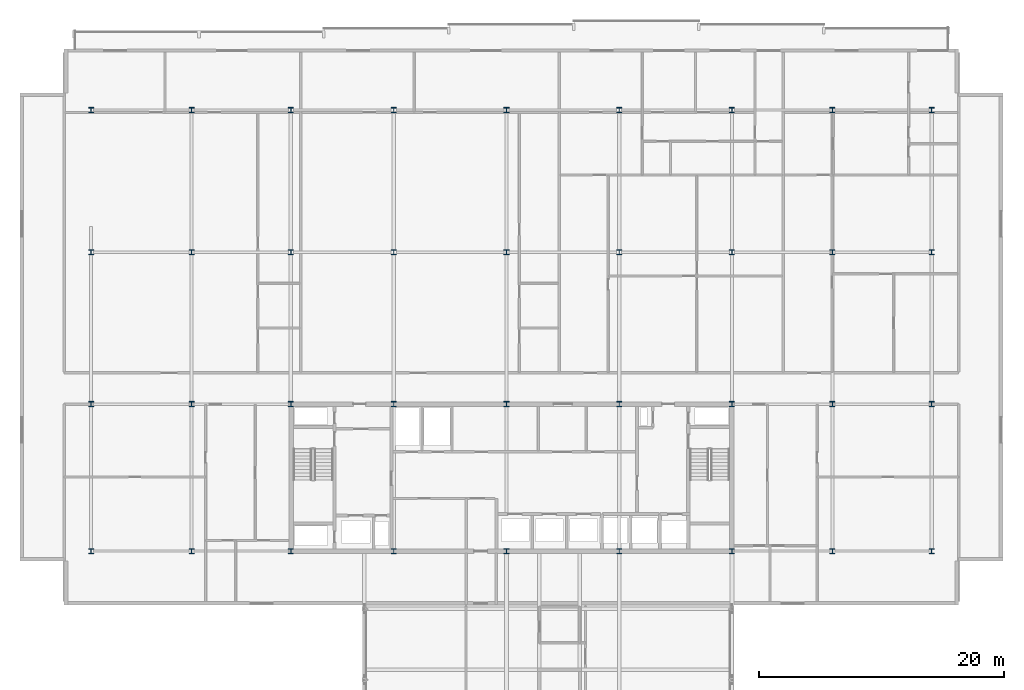
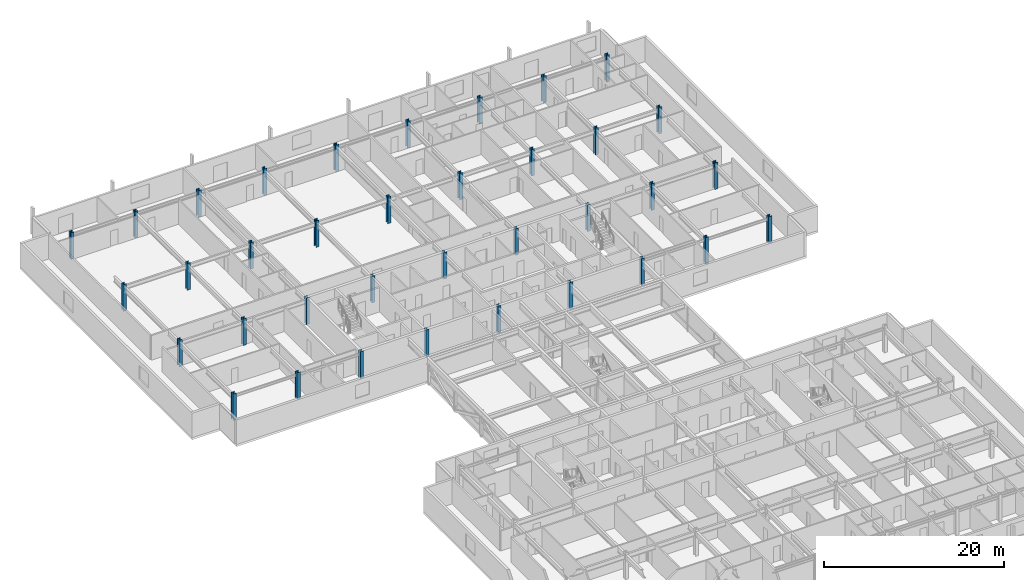
# One storey, part 2 of 36: 36 columns.
"""IFC4 building model written with IfcOpenShell, lengths in metres."""

from ifc_helpers import new_model, si_unit, direction, frame, origin, origin_2d, place, context, subcontext, project, spatial, i_section, extrude, material, material_profile, profile_set, type_object, element, save


model = new_model("IFC4")

# Units and contexts
model_context = context("Model", 3, precision=1e-05, world=origin(), true_north=direction((0.0, 1.0)))
body_context = subcontext(model_context, "Body", "Model", "MODEL_VIEW")
ifc_project = project(units=[si_unit("LENGTHUNIT", "METRE"), si_unit("AREAUNIT", "SQUARE_METRE"), si_unit("VOLUMEUNIT", "CUBIC_METRE"), si_unit("PLANEANGLEUNIT", "RADIAN"), si_unit("MASSUNIT", "GRAM", prefix="KILO")], contexts=[model_context])

# Site, building, storey
site_placement = place(None, origin())
site = spatial("IfcSite", under=ifc_project, at=site_placement, CompositionType="ELEMENT")
building_placement = place(site_placement, origin())
building = spatial("IfcBuilding", under=site, at=building_placement, Name="Korimba Cascade Residences", CompositionType="ELEMENT")
storey_placement = place(building_placement, frame((0.0, 0.0, 146.5)))
storey = spatial("IfcBuildingStorey", under=building, at=storey_placement, Name="L42", CompositionType="ELEMENT", Elevation=146.5)

# Columns
ifc_material = material(Name="Steel S460", Category="steel")
ifc_material_profile = material_profile(ifc_material, i_section(OverallWidth=0.412109375, OverallDepth=0.4365234375, WebThickness=0.035888671875, FlangeThickness=0.052001953125, FilletRadius=0.01513671875, at=origin_2d()), Name="Steel S460")
ifc_profile_set = profile_set([ifc_material_profile], Name="Steel S460")
column_type = type_object("IfcColumnType", Name="COL-STL-UC467", PredefinedType="COLUMN", material=ifc_profile_set)
for number, where, z_axis, x_axis, name in (
    (1, (59.800048828125, 55.199951171875, 0.0), (0.0, 0.0, 1.0), (1.0, 0.0, 0.0), "L42 Tower 1 Column 1.1"),
    (2, (59.800048828125, 67.199951171875, 0.0), (0.0, 0.0, 1.0), (1.0, 0.0, 0.0), "L42 Tower 1 Column 1.2"),
    (3, (59.800048828125, 79.60009765625, 0.0), (0.0, 0.0, 1.0), (1.0, 0.0, 0.0), "L42 Tower 1 Column 1.3"),
    (4, (59.800048828125, 91.199951171875, 0.0), (0.0, 0.0, 1.0), (1.0, 0.0, 0.0), "L42 Tower 1 Column 1.4"),
    (5, (68.0, 55.199951171875, 0.0), (0.0, 0.0, 1.0), (1.0, 0.0, 0.0), "L42 Tower 1 Column 2.1"),
    (6, (68.0, 67.199951171875, 0.0), (0.0, 0.0, 1.0), (1.0, 0.0, 0.0), "L42 Tower 1 Column 2.2"),
    (7, (68.0, 79.60009765625, 0.0), (0.0, 0.0, 1.0), (1.0, 0.0, 0.0), "L42 Tower 1 Column 2.3"),
    (8, (68.0, 91.199951171875, 0.0), (0.0, 0.0, 1.0), (1.0, 0.0, 0.0), "L42 Tower 1 Column 2.4"),
    (9, (76.10009765625, 55.199951171875, 0.0), (0.0, 0.0, 1.0), (1.0, 0.0, 0.0), "L42 Tower 1 Column 3.1"),
    (10, (76.10009765625, 67.199951171875, 0.0), (0.0, 0.0, 1.0), (1.0, 0.0, 0.0), "L42 Tower 1 Column 3.2"),
    (11, (76.10009765625, 79.60009765625, 0.0), (0.0, 0.0, 1.0), (1.0, 0.0, 0.0), "L42 Tower 1 Column 3.3"),
    (12, (76.10009765625, 91.199951171875, 0.0), (0.0, 0.0, 1.0), (1.0, 0.0, 0.0), "L42 Tower 1 Column 3.4"),
    (13, (84.5, 55.199951171875, 0.0), (0.0, 0.0, 1.0), (1.0, 0.0, 0.0), "L42 Tower 1 Column 4.1"),
    (14, (84.5, 67.199951171875, 0.0), (0.0, 0.0, 1.0), (1.0, 0.0, 0.0), "L42 Tower 1 Column 4.2"),
    (15, (84.5, 79.60009765625, 0.0), (0.0, 0.0, 1.0), (1.0, 0.0, 0.0), "L42 Tower 1 Column 4.3"),
    (16, (84.5, 91.199951171875, 0.0), (0.0, 0.0, 1.0), (1.0, 0.0, 0.0), "L42 Tower 1 Column 4.4"),
    (17, (93.699951171875, 55.199951171875, 0.0), (0.0, 0.0, 1.0), (1.0, 0.0, 0.0), "L42 Tower 1 Column 5.1"),
    (18, (93.699951171875, 67.199951171875, 0.0), (0.0, 0.0, 1.0), (1.0, 0.0, 0.0), "L42 Tower 1 Column 5.2"),
    (19, (93.699951171875, 79.60009765625, 0.0), (0.0, 0.0, 1.0), (1.0, 0.0, 0.0), "L42 Tower 1 Column 5.3"),
    (20, (93.699951171875, 91.199951171875, 0.0), (0.0, 0.0, 1.0), (1.0, 0.0, 0.0), "L42 Tower 1 Column 5.4"),
    (21, (102.89990234375, 55.199951171875, 0.0), (0.0, 0.0, 1.0), (1.0, 0.0, 0.0), "L42 Tower 1 Column 6.1"),
    (22, (102.89990234375, 67.199951171875, 0.0), (0.0, 0.0, 1.0), (1.0, 0.0, 0.0), "L42 Tower 1 Column 6.2"),
    (23, (102.89990234375, 79.60009765625, 0.0), (0.0, 0.0, 1.0), (1.0, 0.0, 0.0), "L42 Tower 1 Column 6.3"),
    (24, (102.89990234375, 91.199951171875, 0.0), (0.0, 0.0, 1.0), (1.0, 0.0, 0.0), "L42 Tower 1 Column 6.4"),
    (25, (112.10009765625, 55.199951171875, 0.0), (0.0, 0.0, 1.0), (1.0, 0.0, 0.0), "L42 Tower 1 Column 7.1"),
    (26, (112.10009765625, 67.199951171875, 0.0), (0.0, 0.0, 1.0), (1.0, 0.0, 0.0), "L42 Tower 1 Column 7.2"),
    (27, (112.10009765625, 79.60009765625, 0.0), (0.0, 0.0, 1.0), (1.0, 0.0, 0.0), "L42 Tower 1 Column 7.3"),
    (28, (112.10009765625, 91.199951171875, 0.0), (0.0, 0.0, 1.0), (1.0, 0.0, 0.0), "L42 Tower 1 Column 7.4"),
    (29, (120.300048828125, 55.199951171875, 0.0), (0.0, 0.0, 1.0), (1.0, 0.0, 0.0), "L42 Tower 1 Column 8.1"),
    (30, (120.300048828125, 67.199951171875, 0.0), (0.0, 0.0, 1.0), (1.0, 0.0, 0.0), "L42 Tower 1 Column 8.2"),
    (31, (120.300048828125, 79.60009765625, 0.0), (0.0, 0.0, 1.0), (1.0, 0.0, 0.0), "L42 Tower 1 Column 8.3"),
    (32, (120.300048828125, 91.199951171875, 0.0), (0.0, 0.0, 1.0), (1.0, 0.0, 0.0), "L42 Tower 1 Column 8.4"),
    (33, (128.39990234375, 55.199951171875, 0.0), (0.0, 0.0, 1.0), (1.0, 0.0, 0.0), "L42 Tower 1 Column 9.1"),
    (34, (128.39990234375, 67.199951171875, 0.0), (0.0, 0.0, 1.0), (1.0, 0.0, 0.0), "L42 Tower 1 Column 9.2"),
    (35, (128.39990234375, 79.60009765625, 0.0), (0.0, 0.0, 1.0), (1.0, 0.0, 0.0), "L42 Tower 1 Column 9.3"),
    (36, (128.39990234375, 91.199951171875, 0.0), (0.0, 0.0, 1.0), (1.0, 0.0, 0.0), "L42 Tower 1 Column 9.4"),
):
    element("IfcColumn", number, at=place(storey_placement, frame(where, z_axis=z_axis, x_axis=x_axis)), inside=storey, type_object=column_type, Name=name, PredefinedType="COLUMN", context=body_context, shape_type="SweptSolid", body=[
        extrude(i_section(OverallWidth=0.412109375, OverallDepth=0.4365234375, WebThickness=0.035888671875, FlangeThickness=0.052001953125, FilletRadius=0.01513671875, at=origin_2d()), origin(), (0.0, 0.0, 1.0), 3.60009765625),
    ])

save(model, "model.ifc")
